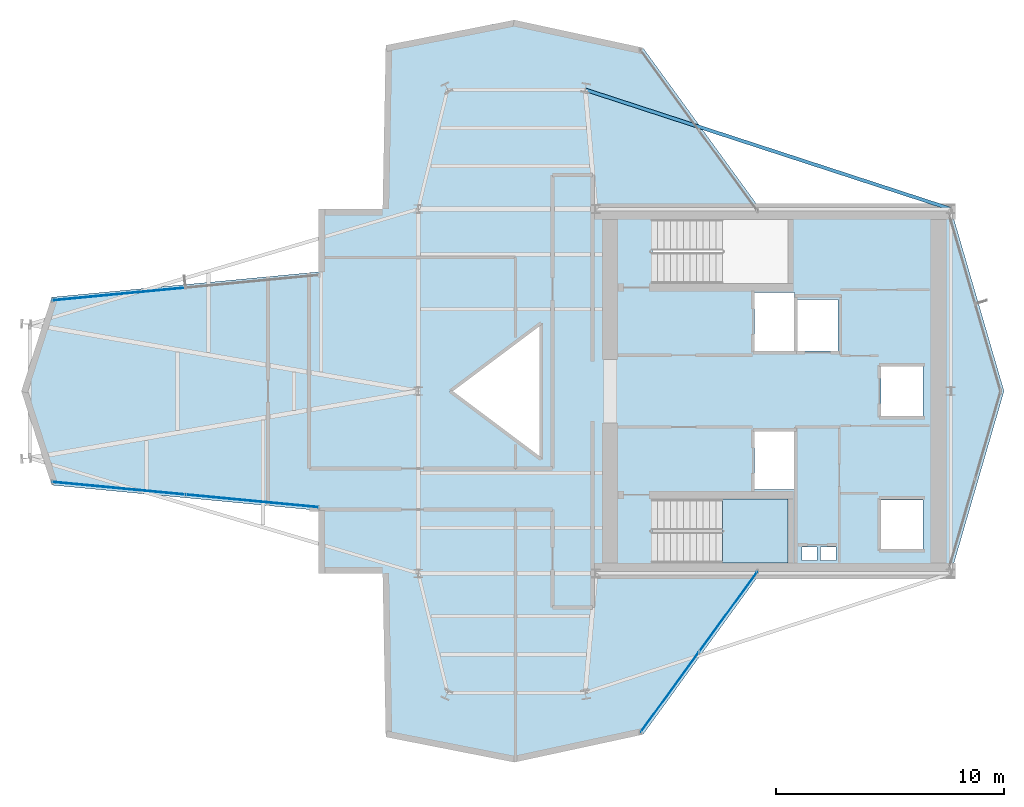
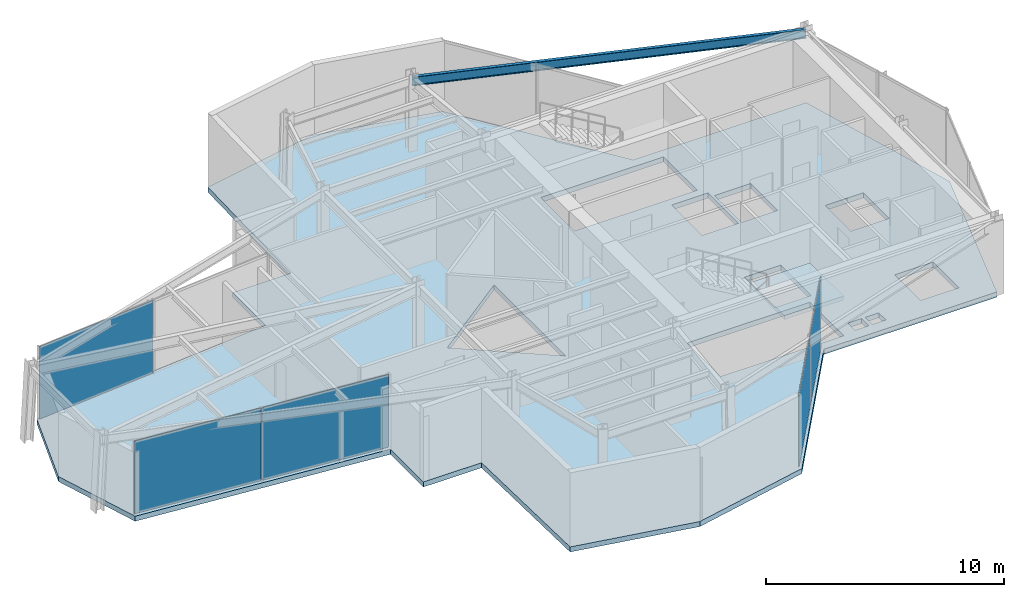
# One storey, part 16 of 21: 5 plates, 2 slabs, 1 beam, 4 elements without a shape of their own.
"""IFC4 building model written with IfcOpenShell, lengths in metres."""

from ifc_helpers import new_model, si_unit, direction, frame, origin, origin_2d, place, context, subcontext, project, spatial, polyline, rectangle, i_section, outline, extrude, material, layer, layer_set, material_profile, profile_set, type_object, element, aggregate, save


model = new_model("IFC4")

# Units and contexts
model_context = context("Model", 3, precision=1e-05, world=origin(), true_north=direction((0.0, 1.0)))
body_context = subcontext(model_context, "Body", "Model", "MODEL_VIEW")
ifc_project = project(units=[si_unit("LENGTHUNIT", "METRE"), si_unit("AREAUNIT", "SQUARE_METRE"), si_unit("VOLUMEUNIT", "CUBIC_METRE"), si_unit("PLANEANGLEUNIT", "RADIAN"), si_unit("MASSUNIT", "GRAM", prefix="KILO")], contexts=[model_context])

# Site, building, storey
site_placement = place(None, origin())
site = spatial("IfcSite", under=ifc_project, at=site_placement, CompositionType="ELEMENT")
building_placement = place(site_placement, origin())
building = spatial("IfcBuilding", under=site, at=building_placement, Name="Veymaron Broadcast Tower", CompositionType="ELEMENT")
storey_placement = place(building_placement, frame((0.0, 0.0, 232.35009765625)))
storey = spatial("IfcBuildingStorey", under=building, at=storey_placement, Name="L54", CompositionType="ELEMENT", Elevation=232.35009765625)

# Beam
ifc_material_1 = material(Name="Structural steel ASTM A992 Gr 50", Category="steel")
ifc_material_profile = material_profile(ifc_material_1, i_section(OverallWidth=0.154052734375, OverallDepth=0.458984375, WebThickness=0.009033203125, FlangeThickness=0.015380859375, at=origin_2d()), Name="W460X68")
ifc_profile_set = profile_set([ifc_material_profile], Name="Structural steel ASTM A992 Gr 50")
beam_type = type_object("IfcBeamType", Name="BM-SP2", PredefinedType="SPANDREL", material=ifc_profile_set)
beam_placement = place(storey_placement, frame((54.60009765625, 32.0, 3.560302734375), z_axis=(-0.950677228408, 0.310181894034, 0.0), x_axis=(-0.310181894034, -0.950677228408, 0.0)))
element("IfcBeam", 1, at=beam_placement, inside=storey, type_object=beam_type, Name="L54 primary structural floor girder", PredefinedType="SPANDREL", context=body_context, shape_type="SweptSolid", body=[
    extrude(i_section(OverallWidth=0.154052734375, OverallDepth=0.458984375, WebThickness=0.009033203125, FlangeThickness=0.015380859375, at=origin_2d()), origin(), (0.0, 0.0, 1.0), 16.893310546875),
])

# Curtain wall, plate
ifc_material_2 = material(Name="Anodised aluminium AA 6063-T6 and laminated low-E dark glass", Category="aluminium")
ifc_layer_1 = layer(ifc_material_2, 0.179931640625)
ifc_layer_set_1 = layer_set([ifc_layer_1], Name="Anodised aluminium AA 6063-T6 and laminated low-E dark glass")
curtain_wall_type = type_object("IfcCurtainWallType", Name="CW-SYS-05", PredefinedType="NOTDEFINED", material=ifc_layer_set_1)
curtain_wall_1_placement = place(storey_placement, origin())
curtain_wall_1 = element("IfcCurtainWall", 2, at=curtain_wall_1_placement, inside=storey, type_object=curtain_wall_type, Name="L54 dark-glass curtain wall CW-L54-E11-1", PredefinedType="NOTDEFINED")
ifc_material_3 = material(Name="Double-silver solar-control dark glass IGU 32 mm", Category="glass")
ifc_layer_2 = layer(ifc_material_3, 0.031982421875)
ifc_layer_set_2 = layer_set([ifc_layer_2], Name="Double-silver solar-control dark glass IGU 32 mm")
plate_type = type_object("IfcPlateType", Name="CW-PNL-02", PredefinedType="CURTAIN_PANEL", material=ifc_layer_set_2)
plate_1_placement = place(storey_placement, frame((18.044189453125, 28.264404296875, 0.0400390625), z_axis=(0.0, 0.0, 1.0), x_axis=(-0.995524106892, -0.094507949912, 0.0)))
plate_1 = element("IfcPlate", 3, at=plate_1_placement, type_object=plate_type, Name="CW-L54-E11-1 unitised curtain panel 1", PredefinedType="CURTAIN_PANEL", context=body_context, shape_type="SweptSolid", body=[
    extrude(rectangle(XDim=5.828369140625, YDim=0.031982421875, at=origin_2d()), origin(), (0.0, 0.0, 1.0), 3.7099609375),
])
aggregate(curtain_wall_1, [plate_1])

# Curtain wall, plates
curtain_wall_2_placement = place(storey_placement, origin())
curtain_wall_2 = element("IfcCurtainWall", 4, at=curtain_wall_2_placement, inside=storey, type_object=curtain_wall_type, Name="L54 dark-glass curtain wall CW-L54-E14-1", PredefinedType="NOTDEFINED")
plate_2_placement = place(storey_placement, frame((18.044189453125, 19.735595703125, 0.0400390625), z_axis=(0.0, 0.0, 1.0), x_axis=(0.995524106892, -0.094507949912, 0.0)))
plate_2 = element("IfcPlate", 5, at=plate_2_placement, type_object=plate_type, Name="CW-L54-E14-1 unitised curtain panel 0", PredefinedType="CURTAIN_PANEL", context=body_context, shape_type="SweptSolid", body=[
    extrude(rectangle(XDim=5.828369140625, YDim=0.031982421875, at=origin_2d()), origin(), (0.0, 0.0, 1.0), 3.7099609375),
])
plate_3_placement = place(storey_placement, frame((23.90625, 19.17919921875, 0.0400390625), z_axis=(0.0, 0.0, 1.0), x_axis=(0.995524106892, -0.094507949912, 0.0)))
plate_3 = element("IfcPlate", 6, at=plate_3_placement, type_object=plate_type, Name="CW-L54-E14-1 unitised curtain panel 1", PredefinedType="CURTAIN_PANEL", context=body_context, shape_type="SweptSolid", body=[
    extrude(rectangle(XDim=5.828369140625, YDim=0.031982421875, at=origin_2d()), origin(), (0.0, 0.0, 1.0), 3.7099609375),
])
aggregate(curtain_wall_2, [plate_2, plate_3])

curtain_wall_3_placement = place(storey_placement, origin())
curtain_wall_3 = element("IfcCurtainWall", 7, at=curtain_wall_3_placement, inside=storey, type_object=curtain_wall_type, Name="L54 dark-glass curtain wall CW-L54-E20-1", PredefinedType="NOTDEFINED")
plate_4_placement = place(storey_placement, frame((42.242919921875, 10.770751953125, 0.0400390625), z_axis=(0.0, 0.0, 1.0), x_axis=(0.588109965161, 0.808780977075, 0.0)))
plate_4 = element("IfcPlate", 8, at=plate_4_placement, type_object=plate_type, Name="CW-L54-E20-1 unitised curtain panel 0", PredefinedType="CURTAIN_PANEL", context=body_context, shape_type="SweptSolid", body=[
    extrude(rectangle(XDim=4.318115234375, YDim=0.031982421875, at=origin_2d()), origin(), (0.0, 0.0, 1.0), 3.7099609375),
])
plate_5_placement = place(storey_placement, frame((44.817626953125, 14.311767578125, 0.0400390625), z_axis=(0.0, 0.0, 1.0), x_axis=(0.588109965161, 0.808780977075, 0.0)))
plate_5 = element("IfcPlate", 9, at=plate_5_placement, type_object=plate_type, Name="CW-L54-E20-1 unitised curtain panel 1", PredefinedType="CURTAIN_PANEL", context=body_context, shape_type="SweptSolid", body=[
    extrude(rectangle(XDim=4.318115234375, YDim=0.031982421875, at=origin_2d()), origin(), (0.0, 0.0, 1.0), 3.7099609375),
])
aggregate(curtain_wall_3, [plate_4, plate_5])

# Slab
ifc_material_4 = material(Name="Concrete C40/50", Category="concrete")
ifc_layer_3 = layer(ifc_material_4, 0.260009765625)
ifc_layer_set_3 = layer_set([ifc_layer_3], Name="Concrete C40/50")
slab_type_1 = type_object("IfcSlabType", Name="SLAB-FS5", PredefinedType="FLOOR", material=ifc_layer_set_3)
slab_1_placement = place(storey_placement, frame((0.0, 0.0, -0.260009765625)))
element("IfcSlab", 10, at=slab_1_placement, inside=storey, type_object=slab_type_1, Name="L54 structural floor slab", PredefinedType="FLOOR", context=body_context, shape_type="SweptSolid", body=[
    extrude(outline(polyline([(46.21826171875, 16.0), (54.60009765625, 16.0), (56.930908203125, 24.0), (54.60009765625, 32.0), (46.21826171875, 32.0), (41.068603515625, 39.08203125), (35.423095703125, 40.302978515625), (29.777587890625, 39.193115234375), (29.639404296875, 32.0), (26.823974609375, 32.0), (26.823974609375, 29.238525390625), (15.10009765625, 28.12548828125), (13.76806640625, 24.0), (15.10009765625, 19.87451171875), (26.823974609375, 18.761474609375), (26.823974609375, 16.0), (29.639404296875, 16.0), (29.777587890625, 8.806884765625), (35.423095703125, 7.697021484375), (41.068603515625, 8.91796875), (46.21826171875, 16.0)]), holes=[polyline([(45.969970703125, 28.330078125), (47.72998046875, 28.330078125), (47.72998046875, 25.77001953125), (45.969970703125, 25.77001953125), (45.969970703125, 28.330078125)]), polyline([(45.969970703125, 22.22998046875), (47.72998046875, 22.22998046875), (47.72998046875, 19.669921875), (45.969970703125, 19.669921875), (45.969970703125, 22.22998046875)]), polyline([(47.8701171875, 28.030029296875), (49.6298828125, 28.030029296875), (49.6298828125, 25.77001953125), (47.8701171875, 25.77001953125), (47.8701171875, 28.030029296875)]), polyline([(51.52001953125, 25.080078125), (53.3798828125, 25.080078125), (53.3798828125, 22.919921875), (51.52001953125, 22.919921875), (51.52001953125, 25.080078125)]), polyline([(51.52001953125, 19.22998046875), (53.3798828125, 19.22998046875), (53.3798828125, 17.070068359375), (51.52001953125, 17.070068359375), (51.52001953125, 19.22998046875)]), polyline([(48.050048828125, 17.159912109375), (48.719970703125, 17.159912109375), (48.719970703125, 16.56005859375), (48.050048828125, 16.56005859375), (48.050048828125, 17.159912109375)]), polyline([(48.8798828125, 17.159912109375), (49.550048828125, 17.159912109375), (49.550048828125, 16.56005859375), (48.8798828125, 16.56005859375), (48.8798828125, 17.159912109375)]), polyline([(36.60009765625, 27.0), (36.60009765625, 21.0), (32.60009765625, 24.0), (36.60009765625, 27.0)]), polyline([(41.489990234375, 31.550048828125), (47.43994140625, 31.550048828125), (47.43994140625, 28.72998046875), (41.489990234375, 28.72998046875), (41.489990234375, 31.550048828125)]), polyline([(41.489990234375, 19.27001953125), (47.43994140625, 19.27001953125), (47.43994140625, 16.449951171875), (41.489990234375, 16.449951171875), (41.489990234375, 19.27001953125)])]), origin(), (0.0, 0.0, 1.0), 0.260009765625),
])

# Stair, slab
ifc_material_5 = material(Name="Concrete C50/60", Category="concrete")
stair_type = type_object("IfcStairType", Name="STAIR-CORE-2", PredefinedType="HALF_TURN_STAIR", material=ifc_material_5)
stair_placement = place(storey_placement, origin())
stair = element("IfcStair", 11, at=stair_placement, inside=storey, type_object=stair_type, Name="L54 South protected dog-leg exit stair ST2", PredefinedType="HALF_TURN_STAIR")
ifc_layer_4 = layer(ifc_material_5, 0.199951171875)
ifc_layer_set_4 = layer_set([ifc_layer_4], Name="Concrete C50/60")
slab_type_2 = type_object("IfcSlabType", Name="SLAB-STAIR-LDG", PredefinedType="LANDING", material=ifc_layer_set_4)
slab_2_placement = place(storey_placement, frame((0.0, 0.0, 1.824951171875)))
slab_2 = element("IfcSlab", 12, at=slab_2_placement, type_object=slab_type_2, Name="ST2 landing 1", PredefinedType="LANDING", context=body_context, shape_type="SweptSolid", body=[
    extrude(outline(polyline([(44.56494140625, 16.449951171875), (47.43994140625, 16.449951171875), (47.43994140625, 19.27001953125), (44.56494140625, 19.27001953125), (44.56494140625, 16.449951171875)])), origin(), (0.0, 0.0, 1.0), 0.199951171875),
])
aggregate(stair, [slab_2])

save(model, "model.ifc")
